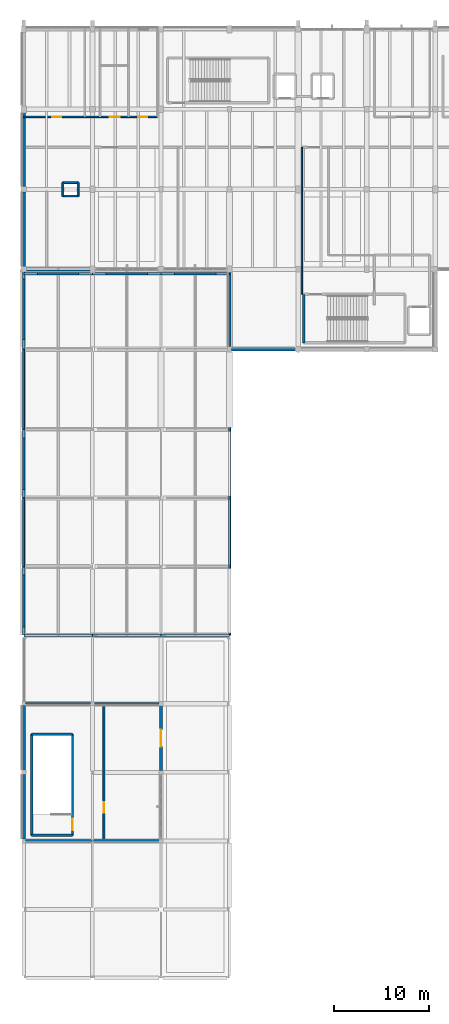
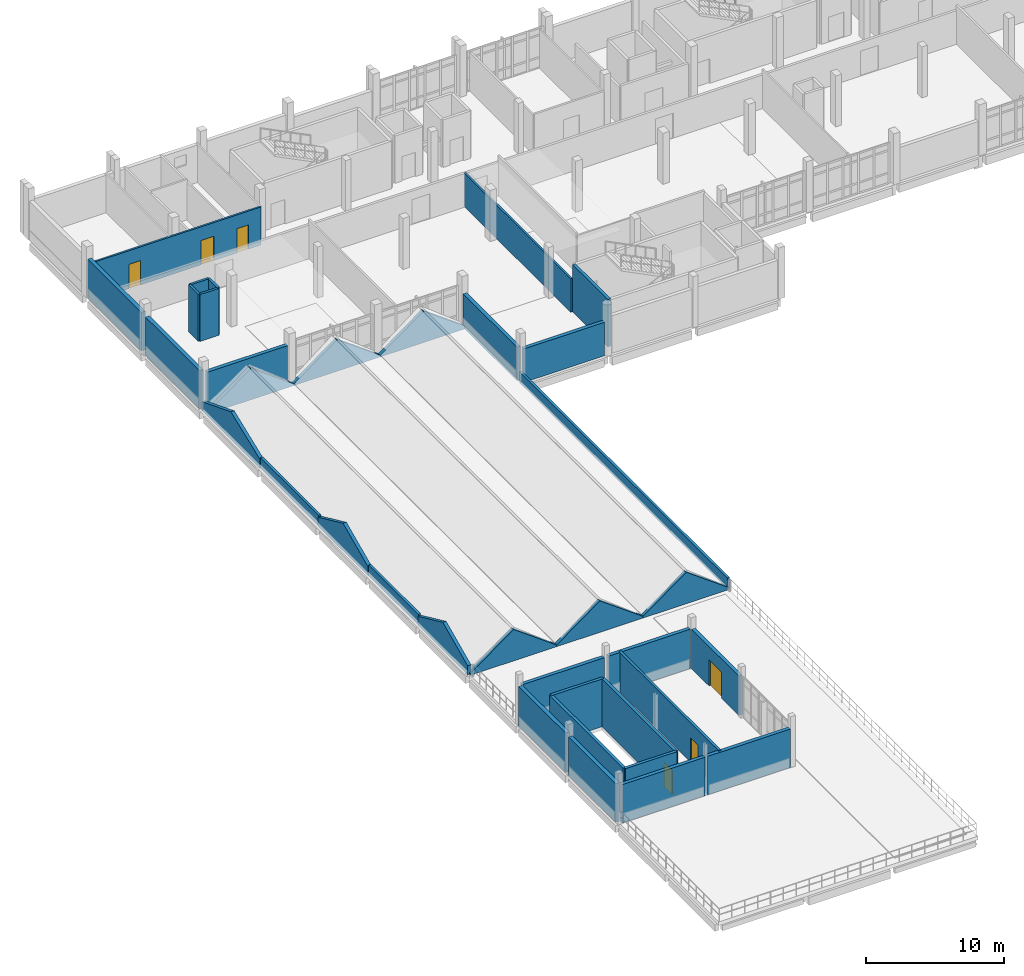
# One storey, part 32 of 41: 36 walls, 6 doors, 6 openings.
"""IFC4 building model written with IfcOpenShell, lengths in metres."""

from ifc_helpers import new_model, si_unit, direction, frame, frame_2d, origin, place, context, subcontext, project, spatial, polyline, rectangle, outline, extrude, material, layer, layer_set, type_object, element, fill, save


model = new_model("IFC4")

# Units and contexts
model_context = context("Model", 3, precision=1e-05, world=origin(), true_north=direction((0.0, 1.0)))
body_context = subcontext(model_context, "Body", "Model", "MODEL_VIEW")
ifc_project = project(units=[si_unit("LENGTHUNIT", "METRE"), si_unit("AREAUNIT", "SQUARE_METRE"), si_unit("VOLUMEUNIT", "CUBIC_METRE"), si_unit("PLANEANGLEUNIT", "RADIAN"), si_unit("MASSUNIT", "GRAM", prefix="KILO")], contexts=[model_context])

# Site, building, storey
site_placement = place(None, origin())
site = spatial("IfcSite", under=ifc_project, at=site_placement, CompositionType="ELEMENT")
building_placement = place(site_placement, origin())
building = spatial("IfcBuilding", under=site, at=building_placement, Name="Kalluvel Institute of Natural Sciences", CompositionType="ELEMENT")
storey_placement = place(building_placement, frame((0.0, 0.0, 32.39990234375)))
storey = spatial("IfcBuildingStorey", under=building, at=storey_placement, Name="L07", CompositionType="ELEMENT", Elevation=32.39990234375)

# Walls
ifc_material_1 = material(Name="Concrete M40", Category="concrete")
ifc_layer_1 = layer(ifc_material_1, 0.25)
ifc_layer_set_1 = layer_set([ifc_layer_1], Name="Concrete M40")
wall_type_1 = type_object("IfcWallType", Name="WL-CORE-250", PredefinedType="SHEAR", material=ifc_layer_set_1)
wall_1_placement = place(storey_placement, frame((43.385009765625, 100.18505859375, 0.0), z_axis=(0.0, 0.0, 1.0), x_axis=(0.0, -1.0, 0.0)))
element("IfcWall", 1, at=wall_1_placement, inside=storey, type_object=wall_type_1, Name="ST3 L07 core wall W", PredefinedType="SHEAR", context=body_context, shape_type="SweptSolid", body=[
    extrude(rectangle(XDim=5.10009765625, YDim=0.25, at=frame_2d((2.550048828125, 0.0))), origin(), (0.0, 0.0, 1.0), 4.175048828125),
])
wall_2_placement = place(storey_placement, frame((14.81494140625, 43.385009765625, 0.0), z_axis=(0.0, 0.0, 1.0), x_axis=(1.0, 0.0, 0.0)))
element("IfcWall", 2, at=wall_2_placement, inside=storey, type_object=wall_type_1, Name="ST4 L07 core wall S", PredefinedType="SHEAR", context=body_context, shape_type="SweptSolid", body=[
    extrude(rectangle(XDim=4.300048828125, YDim=0.25, at=frame_2d((2.14990234375, 0.0))), origin(), (0.0, 0.0, 1.0), 4.215087890625),
])

# Wall, opening, door
wall_3_placement = place(storey_placement, frame((19.114990234375, 43.385009765625, 0.0), z_axis=(0.0, 0.0, 1.0), x_axis=(0.0, 1.0, 0.0)))
wall_3 = element("IfcWall", 3, at=wall_3_placement, inside=storey, type_object=wall_type_1, Name="ST4 L07 core wall E", PredefinedType="SHEAR", context=body_context, shape_type="SweptSolid", body=[
    extrude(rectangle(XDim=10.6298828125, YDim=0.25, at=frame_2d((5.31494140625, 0.0))), origin(), (0.0, 0.0, 1.0), 4.215087890625),
])
opening_1_placement = place(wall_3_placement, frame((0.550048828125, 0.0, 0.0)))
opening_1 = element("IfcOpeningElement", 4, at=opening_1_placement, cuts=wall_3, Name="Opening DS-042", PredefinedType="OPENING", context=body_context, shape_type="SweptSolid", body=[
    extrude(rectangle(XDim=1.199951171875, YDim=2.14990234375, at=frame_2d((0.60009765625, 1.074951171875))), frame((0.0, 0.135009765625, 0.0), z_axis=(0.0, -1.0, 0.0), x_axis=(1.0, 0.0, 0.0)), (0.0, 0.0, 1.0), 0.27001953125),
])
ifc_material_2 = material(Name="Galvanized Fire-Rated Steel", Category="steel")
door_type_1 = type_object("IfcDoorType", Name="DR-ST-1200", OperationType="NOTDEFINED", PredefinedType="DOOR", material=ifc_material_2)
door_1_placement = place(opening_1_placement, origin())
door_1 = element("IfcDoor", 5, at=door_1_placement, inside=storey, type_object=door_type_1, Name="ST4 L07 protected stair door DS-042", OperationType="SINGLE_SWING_LEFT", OverallHeight=2.14990234375, OverallWidth=1.199951171875, PredefinedType="DOOR", context=body_context, shape_type="SweptSolid", body=[
    extrude(rectangle(XDim=1.199951171875, YDim=2.14990234375, at=frame_2d((0.60009765625, 1.074951171875))), frame((0.0, 0.02490234375, 0.0), z_axis=(0.0, -1.0, 0.0), x_axis=(1.0, 0.0, 0.0)), (0.0, 0.0, 1.0), 0.050048828125),
])
fill(opening_1, door_1)

# Walls
wall_4_placement = place(storey_placement, frame((19.114990234375, 54.014892578125, 0.0), z_axis=(0.0, 0.0, 1.0), x_axis=(-1.0, 0.0, 0.0)))
element("IfcWall", 6, at=wall_4_placement, inside=storey, type_object=wall_type_1, Name="ST4 L07 core wall N", PredefinedType="SHEAR", context=body_context, shape_type="SweptSolid", body=[
    extrude(rectangle(XDim=4.300048828125, YDim=0.25, at=frame_2d((2.14990234375, 0.0))), origin(), (0.0, 0.0, 1.0), 4.215087890625),
])
wall_5_placement = place(storey_placement, frame((14.81494140625, 54.014892578125, 0.0), z_axis=(0.0, 0.0, 1.0), x_axis=(0.0, -1.0, 0.0)))
element("IfcWall", 7, at=wall_5_placement, inside=storey, type_object=wall_type_1, Name="ST4 L07 core wall W", PredefinedType="SHEAR", context=body_context, shape_type="SweptSolid", body=[
    extrude(rectangle(XDim=10.6298828125, YDim=0.25, at=frame_2d((5.31494140625, 0.0))), origin(), (0.0, 0.0, 1.0), 4.215087890625),
])
ifc_material_3 = material(Name="Sadarahalli Grey Granite Ashlar Concrete M40", Category="masonry")
ifc_layer_2 = layer(ifc_material_3, 0.300048828125)
ifc_layer_set_2 = layer_set([ifc_layer_2], Name="Sadarahalli Grey Granite Ashlar Concrete M40")
wall_type_2 = type_object("IfcWallType", Name="WL-EXT-300", PredefinedType="SOLIDWALL", material=ifc_layer_set_2)
wall_6_placement = place(storey_placement, frame((14.2548828125, 102.800048828125, 0.0), z_axis=(0.0, 0.0, 1.0), x_axis=(1.0, 0.0, 0.0)))
element("IfcWall", 8, at=wall_6_placement, inside=storey, type_object=wall_type_2, Name="L07 Sadarahalli granite exterior wall WL-EXT-L07-0094", PredefinedType="SOLIDWALL", context=body_context, shape_type="SweptSolid", body=[
    extrude(rectangle(XDim=6.690185546875, YDim=0.300048828125, at=frame_2d((3.34521484375, 0.0))), origin(), (0.0, 0.0, 1.0), 3.35498046875),
])
wall_7_placement = place(storey_placement, frame((35.804931640625, 94.39990234375, 0.0), z_axis=(0.0, 0.0, 1.0), x_axis=(1.0, 0.0, 0.0)))
element("IfcWall", 9, at=wall_7_placement, inside=storey, type_object=wall_type_2, Name="L07 Sadarahalli granite exterior wall WL-EXT-L07-0125", PredefinedType="SOLIDWALL", context=body_context, shape_type="SweptSolid", body=[
    extrude(rectangle(XDim=6.690185546875, YDim=0.300048828125, at=frame_2d((3.34521484375, 0.0))), origin(), (0.0, 0.0, 1.0), 2.955078125),
])
wall_8_placement = place(storey_placement, frame((35.60009765625, 94.679931640625, 0.0), z_axis=(0.0, 0.0, 1.0), x_axis=(0.0, 1.0, 0.0)))
element("IfcWall", 10, at=wall_8_placement, inside=storey, type_object=wall_type_2, Name="L07 Sadarahalli granite exterior wall WL-EXT-L07-0129", PredefinedType="SOLIDWALL", context=body_context, shape_type="SweptSolid", body=[
    extrude(rectangle(XDim=7.7900390625, YDim=0.300048828125, at=frame_2d((3.89501953125, 0.0))), origin(), (0.0, 0.0, 1.0), 2.955078125),
])

# Wall, opening, door
wall_9_placement = place(storey_placement, frame((28.39990234375, 50.179931640625, 0.0), z_axis=(0.0, 0.0, 1.0), x_axis=(0.0, 1.0, 0.0)))
wall_9 = element("IfcWall", 11, at=wall_9_placement, inside=storey, type_object=wall_type_2, Name="L07 Sadarahalli granite exterior wall WL-EXT-L07-0282", PredefinedType="SOLIDWALL", context=body_context, shape_type="SweptSolid", body=[
    extrude(rectangle(XDim=6.815185546875, YDim=0.300048828125, at=frame_2d((3.40771484375, 0.0))), origin(), (0.0, 0.0, 1.0), 3.47509765625),
])
opening_2_placement = place(wall_9_placement, frame((2.507568359375, 0.0, 0.0)))
opening_2 = element("IfcOpeningElement", 12, at=opening_2_placement, cuts=wall_9, Name="Opening DT-008", PredefinedType="OPENING", context=body_context, shape_type="SweptSolid", body=[
    extrude(rectangle(XDim=1.800048828125, YDim=2.300048828125, at=frame_2d((0.89990234375, 1.14990234375))), frame((0.0, 0.159912109375, 0.0), z_axis=(0.0, -1.0, 0.0), x_axis=(1.0, 0.0, 0.0)), (0.0, 0.0, 1.0), 0.320068359375),
])
ifc_material_4 = material(Name="Aluminium AW-6063 T6", Category="aluminium")
door_type_2 = type_object("IfcDoorType", Name="DR-TER-1800", OperationType="NOTDEFINED", PredefinedType="DOOR", material=ifc_material_4)
door_2_placement = place(opening_2_placement, origin())
door_2 = element("IfcDoor", 13, at=door_2_placement, inside=storey, type_object=door_type_2, Name="L07 South Planted Roof Garden Terrace Door", OperationType="DOUBLE_DOOR_SINGLE_SWING", OverallHeight=2.300048828125, OverallWidth=1.800048828125, PredefinedType="DOOR", context=body_context, shape_type="SweptSolid", body=[
    extrude(rectangle(XDim=1.800048828125, YDim=2.300048828125, at=frame_2d((0.89990234375, 1.14990234375))), frame((0.0, 0.02490234375, 0.0), z_axis=(0.0, -1.0, 0.0), x_axis=(1.0, 0.0, 0.0)), (0.0, 0.0, 1.0), 0.050048828125),
])
fill(opening_2, door_2)

# Walls
wall_10_placement = place(storey_placement, frame((14.179931640625, 42.800048828125, 0.0), z_axis=(0.0, 0.0, 1.0), x_axis=(1.0, 0.0, 0.0)))
element("IfcWall", 14, at=wall_10_placement, inside=storey, type_object=wall_type_2, Name="L07 Sadarahalli granite exterior wall WL-EXT-L07-0283", PredefinedType="SOLIDWALL", context=body_context, shape_type="SweptSolid", body=[
    extrude(rectangle(XDim=6.9150390625, YDim=0.300048828125, at=frame_2d((3.45751953125, 0.0))), origin(), (0.0, 0.0, 1.0), 3.39501953125),
])
wall_11_placement = place(storey_placement, frame((14.179931640625, 57.199951171875, 0.0), z_axis=(0.0, 0.0, 1.0), x_axis=(1.0, 0.0, 0.0)))
element("IfcWall", 15, at=wall_11_placement, inside=storey, type_object=wall_type_2, Name="L07 Sadarahalli granite exterior wall WL-EXT-L07-0284", PredefinedType="SOLIDWALL", context=body_context, shape_type="SweptSolid", body=[
    extrude(rectangle(XDim=6.840087890625, YDim=0.300048828125, at=frame_2d((3.419921875, 0.0))), origin(), (0.0, 0.0, 1.0), 3.47509765625),
])
wall_12_placement = place(storey_placement, frame((21.304931640625, 42.800048828125, 0.0), z_axis=(0.0, 0.0, 1.0), x_axis=(1.0, 0.0, 0.0)))
element("IfcWall", 16, at=wall_12_placement, inside=storey, type_object=wall_type_2, Name="L07 Sadarahalli granite exterior wall WL-EXT-L07-0285", PredefinedType="SOLIDWALL", context=body_context, shape_type="SweptSolid", body=[
    extrude(rectangle(XDim=6.9150390625, YDim=0.300048828125, at=frame_2d((3.45751953125, 0.0))), origin(), (0.0, 0.0, 1.0), 3.39501953125),
])
wall_13_placement = place(storey_placement, frame((21.3798828125, 57.199951171875, 0.0), z_axis=(0.0, 0.0, 1.0), x_axis=(1.0, 0.0, 0.0)))
element("IfcWall", 17, at=wall_13_placement, inside=storey, type_object=wall_type_2, Name="L07 Sadarahalli granite exterior wall WL-EXT-L07-0286", PredefinedType="SOLIDWALL", context=body_context, shape_type="SweptSolid", body=[
    extrude(rectangle(XDim=6.815185546875, YDim=0.300048828125, at=frame_2d((3.40771484375, 0.0))), origin(), (0.0, 0.0, 1.0), 3.47509765625),
])
ifc_layer_3 = layer(ifc_material_3, 0.320068359375)
ifc_layer_set_3 = layer_set([ifc_layer_3], Name="Sadarahalli Grey Granite Ashlar Concrete M40")
wall_type_3 = type_object("IfcWallType", Name="WL-EXT-320", PredefinedType="SOLIDWALL", material=ifc_layer_set_3)
wall_14_placement = place(storey_placement, frame((14.0, 103.054931640625, 0.0), z_axis=(0.0, 0.0, 1.0), x_axis=(0.0, 1.0, 0.0)))
element("IfcWall", 18, at=wall_14_placement, inside=storey, type_object=wall_type_3, Name="L07 Sadarahalli granite exterior wall WL-EXT-L07-0096", PredefinedType="SOLIDWALL", context=body_context, shape_type="SweptSolid", body=[
    extrude(rectangle(XDim=7.864990234375, YDim=0.320068359375, at=frame_2d((3.9326171875, 0.0))), origin(), (0.0, 0.0, 1.0), 3.35498046875),
])
wall_15_placement = place(storey_placement, frame((14.0, 111.47998046875, 0.0), z_axis=(0.0, 0.0, 1.0), x_axis=(0.0, 1.0, 0.0)))
element("IfcWall", 19, at=wall_15_placement, inside=storey, type_object=wall_type_3, Name="L07 Sadarahalli granite exterior wall WL-EXT-L07-0097", PredefinedType="SOLIDWALL", context=body_context, shape_type="SweptSolid", body=[
    extrude(rectangle(XDim=7.76513671875, YDim=0.320068359375, at=frame_2d((3.882568359375, 0.0))), origin(), (0.0, 0.0, 1.0), 3.405029296875),
])
wall_16_placement = place(storey_placement, frame((14.0, 42.97998046875, 0.0), z_axis=(0.0, 0.0, 1.0), x_axis=(0.0, 1.0, 0.0)))
element("IfcWall", 20, at=wall_16_placement, inside=storey, type_object=wall_type_3, Name="L07 Sadarahalli granite exterior wall WL-EXT-L07-0280", PredefinedType="SOLIDWALL", context=body_context, shape_type="SweptSolid", body=[
    extrude(rectangle(XDim=6.81494140625, YDim=0.320068359375, at=frame_2d((3.407470703125, 0.0))), origin(), (0.0, 0.0, 1.0), 3.39501953125),
])
wall_17_placement = place(storey_placement, frame((14.0, 50.205078125, 0.0), z_axis=(0.0, 0.0, 1.0), x_axis=(0.0, 1.0, 0.0)))
element("IfcWall", 21, at=wall_17_placement, inside=storey, type_object=wall_type_3, Name="L07 Sadarahalli granite exterior wall WL-EXT-L07-0281", PredefinedType="SOLIDWALL", context=body_context, shape_type="SweptSolid", body=[
    extrude(rectangle(XDim=6.81494140625, YDim=0.320068359375, at=frame_2d((3.407470703125, 0.0))), origin(), (0.0, 0.0, 1.0), 3.47509765625),
])

# Wall, opening, door
ifc_material_5 = material(Name="Autoclaved Aerated Concrete Masonry Block", Category="masonry")
ifc_layer_4 = layer(ifc_material_5, 0.199951171875)
ifc_layer_set_4 = layer_set([ifc_layer_4], Name="Autoclaved Aerated Concrete Masonry Block")
wall_type_4 = type_object("IfcWallType", Name="WL-FIRE-200", PredefinedType="SOLIDWALL", material=ifc_layer_set_4)
wall_18_placement = place(storey_placement, frame((22.39990234375, 42.800048828125, 0.0), z_axis=(0.0, 0.0, 1.0), x_axis=(0.0, 1.0, 0.0)))
wall_18 = element("IfcWall", 22, at=wall_18_placement, inside=storey, type_object=wall_type_4, Name="L07 interior fire wall WL-INT-L07-0334", PredefinedType="SOLIDWALL", context=body_context, shape_type="SweptSolid", body=[
    extrude(rectangle(XDim=14.39990234375, YDim=0.199951171875, at=frame_2d((7.199951171875, 0.0))), origin(), (0.0, 0.0, 1.0), 3.47998046875),
])
opening_3_placement = place(wall_18_placement, frame((2.949951171875, 0.0, 0.0)))
opening_3 = element("IfcOpeningElement", 23, at=opening_3_placement, cuts=wall_18, Name="Opening D-249", PredefinedType="OPENING", context=body_context, shape_type="SweptSolid", body=[
    extrude(rectangle(XDim=1.10009765625, YDim=2.14990234375, at=frame_2d((0.550048828125, 1.074951171875))), frame((0.0, 0.10986328125, 0.0), z_axis=(0.0, -1.0, 0.0), x_axis=(1.0, 0.0, 0.0)), (0.0, 0.0, 1.0), 0.219970703125),
])
door_type_3 = type_object("IfcDoorType", Name="DR-FD60-1100", OperationType="NOTDEFINED", PredefinedType="DOOR", material=ifc_material_2)
door_3_placement = place(opening_3_placement, origin())
door_3 = element("IfcDoor", 24, at=door_3_placement, inside=storey, type_object=door_type_3, Name="L07 Botanical Roof-Garden Seminar Room door D-249", OperationType="SINGLE_SWING_RIGHT", OverallHeight=2.14990234375, OverallWidth=1.10009765625, PredefinedType="DOOR", context=body_context, shape_type="SweptSolid", body=[
    extrude(rectangle(XDim=1.10009765625, YDim=2.14990234375, at=frame_2d((0.550048828125, 1.074951171875))), frame((0.0, 0.02490234375, 0.0), z_axis=(0.0, -1.0, 0.0), x_axis=(1.0, 0.0, 0.0)), (0.0, 0.0, 1.0), 0.050048828125),
])
fill(opening_3, door_3)

# Walls
ifc_layer_5 = layer(ifc_material_3, 0.280029296875)
ifc_layer_set_5 = layer_set([ifc_layer_5], Name="Sadarahalli Grey Granite Ashlar Concrete M40")
wall_type_5 = type_object("IfcWallType", Name="WL-GABLE-280", PredefinedType="SOLIDWALL", material=ifc_layer_set_5)
for number, where, z_axis, x_axis, name in (
    (25, (14.0, 64.39990234375, 0.0), (0.0, 0.0, 1.0), (1.0, 0.0, 0.0), "L07 Dry Wing South Gothic gable wall"),
    (26, (21.199951171875, 64.39990234375, 0.0), (0.0, 0.0, 1.0), (1.0, 0.0, 0.0), "L07 Dry Wing South Gothic gable wall"),
):
    element("IfcWall", number, at=place(storey_placement, frame(where, z_axis=z_axis, x_axis=x_axis)), inside=storey, type_object=wall_type_5, Name=name, PredefinedType="SOLIDWALL", context=body_context, shape_type="SweptSolid", body=[
        extrude(outline(polyline([(0.0, 0.0), (7.199951171875, 0.0), (7.199951171875, 0.150146484375), (3.60009765625, 2.780029296875), (0.0, 0.150146484375), (0.0, 0.0)])), frame((0.0, 0.14013671875, 0.0), z_axis=(0.0, -1.0, 0.0), x_axis=(1.0, 0.0, 0.0)), (0.0, 0.0, 1.0), 0.280029296875),
    ])
wall_19_placement = place(storey_placement, frame((28.39990234375, 64.39990234375, 0.0), z_axis=(0.0, 0.0, 1.0), x_axis=(1.0, 0.0, 0.0)))
element("IfcWall", 27, at=wall_19_placement, inside=storey, type_object=wall_type_5, Name="L07 Dry Wing South Gothic gable wall", PredefinedType="SOLIDWALL", context=body_context, shape_type="SweptSolid", body=[
    extrude(outline(polyline([(0.0, 0.0), (7.2001953125, 0.0), (7.199951171875, 0.150146484375), (3.60009765625, 2.780029296875), (0.0, 0.150146484375), (0.0, 0.0)])), frame((0.0, 0.14013671875, 0.0), z_axis=(0.0, -1.0, 0.0), x_axis=(1.0, 0.0, 0.0)), (0.0, 0.0, 1.0), 0.280029296875),
])
for number, where, z_axis, x_axis, name in (
    (28, (14.0, 102.35009765625, 0.0), (0.0, 0.0, 1.0), (1.0, 0.0, 0.0), "L07 Dry Wing North Gothic gable wall"),
    (29, (21.199951171875, 102.35009765625, 0.0), (0.0, 0.0, 1.0), (1.0, 0.0, 0.0), "L07 Dry Wing North Gothic gable wall"),
):
    element("IfcWall", number, at=place(storey_placement, frame(where, z_axis=z_axis, x_axis=x_axis)), inside=storey, type_object=wall_type_5, Name=name, PredefinedType="SOLIDWALL", context=body_context, shape_type="SweptSolid", body=[
        extrude(outline(polyline([(0.0, 0.0), (7.199951171875, 0.0), (7.199951171875, 0.150146484375), (3.60009765625, 2.780029296875), (0.0, 0.150146484375), (0.0, 0.0)])), frame((0.0, 0.14013671875, 0.0), z_axis=(0.0, -1.0, 0.0), x_axis=(1.0, 0.0, 0.0)), (0.0, 0.0, 1.0), 0.280029296875),
    ])
wall_20_placement = place(storey_placement, frame((28.39990234375, 102.35009765625, 0.0), z_axis=(0.0, 0.0, 1.0), x_axis=(1.0, 0.0, 0.0)))
element("IfcWall", 30, at=wall_20_placement, inside=storey, type_object=wall_type_5, Name="L07 Dry Wing North Gothic gable wall", PredefinedType="SOLIDWALL", context=body_context, shape_type="SweptSolid", body=[
    extrude(outline(polyline([(0.0, 0.0), (7.2001953125, 0.0), (7.199951171875, 0.150146484375), (3.60009765625, 2.780029296875), (0.0, 0.150146484375), (0.0, 0.0)])), frame((0.0, 0.14013671875, 0.0), z_axis=(0.0, -1.0, 0.0), x_axis=(1.0, 0.0, 0.0)), (0.0, 0.0, 1.0), 0.280029296875),
])
wall_21_placement = place(storey_placement, frame((14.0, 64.39990234375, 0.0), z_axis=(0.0, 0.0, 1.0), x_axis=(0.0, 1.0, 0.0)))
element("IfcWall", 31, at=wall_21_placement, inside=storey, type_object=wall_type_5, Name="L07 Dry Wing West Gothic cross-gable parapet", PredefinedType="SOLIDWALL", context=body_context, shape_type="SweptSolid", body=[
    extrude(outline(polyline([(0.0, 0.0), (7.2001953125, 0.0), (7.199951171875, 0.800048828125), (3.60009765625, 2.4501953125), (0.0, 0.800048828125), (0.0, 0.0)])), frame((0.0, 0.14013671875, 0.0), z_axis=(0.0, -1.0, 0.0), x_axis=(1.0, 0.0, 0.0)), (0.0, 0.0, 1.0), 0.280029296875),
])
wall_22_placement = place(storey_placement, frame((14.0, 78.800048828125, 0.0), z_axis=(0.0, 0.0, 1.0), x_axis=(0.0, 1.0, 0.0)))
element("IfcWall", 32, at=wall_22_placement, inside=storey, type_object=wall_type_5, Name="L07 Dry Wing West Gothic cross-gable parapet", PredefinedType="SOLIDWALL", context=body_context, shape_type="SweptSolid", body=[
    extrude(outline(polyline([(0.0, 0.0), (7.199951171875, 0.0), (7.199951171875, 0.800048828125), (3.60009765625, 2.4501953125), (0.0, 0.800048828125), (0.0, 0.0)])), frame((0.0, 0.14013671875, 0.0), z_axis=(0.0, -1.0, 0.0), x_axis=(1.0, 0.0, 0.0)), (0.0, 0.0, 1.0), 0.280029296875),
])
wall_23_placement = place(storey_placement, frame((14.0, 94.39990234375, 0.0), z_axis=(0.0, 0.0, 1.0), x_axis=(0.0, 1.0, 0.0)))
element("IfcWall", 33, at=wall_23_placement, inside=storey, type_object=wall_type_5, Name="L07 Dry Wing West Gothic cross-gable parapet", PredefinedType="SOLIDWALL", context=body_context, shape_type="SweptSolid", body=[
    extrude(outline(polyline([(0.0, 0.0), (8.400146484375, 0.0), (8.39990234375, 0.800048828125), (4.199951171875, 2.4501953125), (0.0, 0.800048828125), (0.0, 0.0)])), frame((0.0, 0.14013671875, 0.0), z_axis=(0.0, -1.0, 0.0), x_axis=(1.0, 0.0, 0.0)), (0.0, 0.0, 1.0), 0.280029296875),
])
ifc_layer_6 = layer(ifc_material_3, 0.199951171875)
ifc_layer_set_6 = layer_set([ifc_layer_6], Name="Sadarahalli Grey Granite Ashlar Concrete M40")
wall_type_6 = type_object("IfcWallType", Name="WL-PAR-200", PredefinedType="PARAPET", material=ifc_layer_set_6)
wall_24_placement = place(storey_placement, frame((35.60009765625, 64.39990234375, 0.0), z_axis=(0.0, 0.0, 1.0), x_axis=(0.0, 1.0, 0.0)))
element("IfcWall", 34, at=wall_24_placement, inside=storey, type_object=wall_type_6, Name="L07 maintenance roof stone parapet 15", PredefinedType="PARAPET", context=body_context, shape_type="SweptSolid", body=[
    extrude(rectangle(XDim=30.0, YDim=0.199951171875, at=frame_2d((15.0, 0.0))), origin(), (0.0, 0.0, 1.0), 0.9501953125),
])
wall_25_placement = place(storey_placement, frame((14.0, 71.60009765625, 0.0), z_axis=(0.0, 0.0, 1.0), x_axis=(0.0, 1.0, 0.0)))
element("IfcWall", 35, at=wall_25_placement, inside=storey, type_object=wall_type_6, Name="L07 maintenance roof stone parapet 16", PredefinedType="PARAPET", context=body_context, shape_type="SweptSolid", body=[
    extrude(rectangle(XDim=7.199951171875, YDim=0.199951171875, at=frame_2d((3.60009765625, 0.0))), origin(), (0.0, 0.0, 1.0), 0.9501953125),
])
wall_26_placement = place(storey_placement, frame((14.0, 86.0, 0.0), z_axis=(0.0, 0.0, 1.0), x_axis=(0.0, 1.0, 0.0)))
element("IfcWall", 36, at=wall_26_placement, inside=storey, type_object=wall_type_6, Name="L07 maintenance roof stone parapet 17", PredefinedType="PARAPET", context=body_context, shape_type="SweptSolid", body=[
    extrude(rectangle(XDim=8.39990234375, YDim=0.199951171875, at=frame_2d((4.199951171875, 0.0))), origin(), (0.0, 0.0, 1.0), 0.9501953125),
])
ifc_layer_7 = layer(ifc_material_5, 0.159912109375)
ifc_layer_set_7 = layer_set([ifc_layer_7], Name="Autoclaved Aerated Concrete Masonry Block")
wall_type_7 = type_object("IfcWallType", Name="WL-PART-160", PredefinedType="PARTITIONING", material=ifc_layer_set_7)
wall_27_placement = place(storey_placement, frame((43.199951171875, 100.199951171875, 0.0), z_axis=(0.0, 0.0, 1.0), x_axis=(0.0, 1.0, 0.0)))
element("IfcWall", 37, at=wall_27_placement, inside=storey, type_object=wall_type_7, Name="L07 interior partition wall WL-INT-L07-0315", PredefinedType="PARTITIONING", context=body_context, shape_type="SweptSolid", body=[
    extrude(rectangle(XDim=15.400146484375, YDim=0.159912109375, at=frame_2d((7.7001953125, 0.0))), origin(), (0.0, 0.0, 1.0), 2.960205078125),
])

# Wall, openings, doors
wall_28_placement = place(storey_placement, frame((14.0, 118.800048828125, 0.0), z_axis=(0.0, 0.0, 1.0), x_axis=(1.0, 0.0, 0.0)))
wall_28 = element("IfcWall", 38, at=wall_28_placement, inside=storey, type_object=wall_type_7, Name="L07 interior partition wall WL-INT-L07-0318", PredefinedType="PARTITIONING", context=body_context, shape_type="SweptSolid", body=[
    extrude(rectangle(XDim=14.0, YDim=0.159912109375, at=frame_2d((7.0, 0.0))), origin(), (0.0, 0.0, 1.0), 3.360107421875),
])
opening_4_placement = place(wall_28_placement, frame((3.0, 0.0, 0.0)))
opening_4 = element("IfcOpeningElement", 39, at=opening_4_placement, cuts=wall_28, Name="Opening D-237", PredefinedType="OPENING", context=body_context, shape_type="SweptSolid", body=[
    extrude(rectangle(XDim=0.949951171875, YDim=2.14990234375, at=frame_2d((0.47509765625, 1.074951171875))), frame((0.0, 0.08984375, 0.0), z_axis=(0.0, -1.0, 0.0), x_axis=(1.0, 0.0, 0.0)), (0.0, 0.0, 1.0), 0.179931640625),
])
opening_5_placement = place(wall_28_placement, frame((9.0, 0.0, 0.0)))
opening_5 = element("IfcOpeningElement", 40, at=opening_5_placement, cuts=wall_28, Name="Opening D-238", PredefinedType="OPENING", context=body_context, shape_type="SweptSolid", body=[
    extrude(rectangle(XDim=1.050048828125, YDim=2.14990234375, at=frame_2d((0.52490234375, 1.074951171875))), frame((0.0, 0.08984375, 0.0), z_axis=(0.0, -1.0, 0.0), x_axis=(1.0, 0.0, 0.0)), (0.0, 0.0, 1.0), 0.179931640625),
])
opening_6_placement = place(wall_28_placement, frame((12.0, 0.0, 0.0)))
opening_6 = element("IfcOpeningElement", 41, at=opening_6_placement, cuts=wall_28, Name="Opening D-239", PredefinedType="OPENING", context=body_context, shape_type="SweptSolid", body=[
    extrude(rectangle(XDim=0.949951171875, YDim=2.14990234375, at=frame_2d((0.47509765625, 1.074951171875))), frame((0.0, 0.08984375, 0.0), z_axis=(0.0, -1.0, 0.0), x_axis=(1.0, 0.0, 0.0)), (0.0, 0.0, 1.0), 0.179931640625),
])
ifc_material_6 = material(Name="Engineered Hardwood Acoustic Leaf", Category="wood")
door_type_4 = type_object("IfcDoorType", Name="DR-ACC-1050", OperationType="NOTDEFINED", PredefinedType="DOOR", material=ifc_material_6)
door_4_placement = place(opening_5_placement, origin())
door_4 = element("IfcDoor", 42, at=door_4_placement, inside=storey, type_object=door_type_4, Name="L07 Accessible WC door D-238", OperationType="SINGLE_SWING_RIGHT", OverallHeight=2.14990234375, OverallWidth=1.050048828125, PredefinedType="DOOR", context=body_context, shape_type="SweptSolid", body=[
    extrude(rectangle(XDim=1.050048828125, YDim=2.14990234375, at=frame_2d((0.52490234375, 1.074951171875))), frame((0.0, 0.02490234375, 0.0), z_axis=(0.0, -1.0, 0.0), x_axis=(1.0, 0.0, 0.0)), (0.0, 0.0, 1.0), 0.050048828125),
])
fill(opening_5, door_4)
door_type_5 = type_object("IfcDoorType", Name="DR-INT-950", OperationType="NOTDEFINED", PredefinedType="DOOR", material=ifc_material_6)
door_5_placement = place(opening_4_placement, origin())
door_5 = element("IfcDoor", 43, at=door_5_placement, inside=storey, type_object=door_type_5, Name="L07 Male WC door D-237", OperationType="SINGLE_SWING_LEFT", OverallHeight=2.14990234375, OverallWidth=0.949951171875, PredefinedType="DOOR", context=body_context, shape_type="SweptSolid", body=[
    extrude(rectangle(XDim=0.949951171875, YDim=2.14990234375, at=frame_2d((0.47509765625, 1.074951171875))), frame((0.0, 0.02490234375, 0.0), z_axis=(0.0, -1.0, 0.0), x_axis=(1.0, 0.0, 0.0)), (0.0, 0.0, 1.0), 0.050048828125),
])
fill(opening_4, door_5)
door_6_placement = place(opening_6_placement, origin())
door_6 = element("IfcDoor", 44, at=door_6_placement, inside=storey, type_object=door_type_5, Name="L07 Female WC door D-239", OperationType="SINGLE_SWING_LEFT", OverallHeight=2.14990234375, OverallWidth=0.949951171875, PredefinedType="DOOR", context=body_context, shape_type="SweptSolid", body=[
    extrude(rectangle(XDim=0.949951171875, YDim=2.14990234375, at=frame_2d((0.47509765625, 1.074951171875))), frame((0.0, 0.02490234375, 0.0), z_axis=(0.0, -1.0, 0.0), x_axis=(1.0, 0.0, 0.0)), (0.0, 0.0, 1.0), 0.050048828125),
])
fill(opening_6, door_6)

# Walls
ifc_layer_8 = layer(ifc_material_1, 0.199951171875)
ifc_layer_set_8 = layer_set([ifc_layer_8], Name="Concrete M40")
wall_type_8 = type_object("IfcWallType", Name="WL-RISER-200", PredefinedType="SHEAR", material=ifc_layer_set_8)
wall_29_placement = place(storey_placement, frame((18.10009765625, 110.5, 0.0), z_axis=(0.0, 0.0, 1.0), x_axis=(1.0, 0.0, 0.0)))
element("IfcWall", 45, at=wall_29_placement, inside=storey, type_object=wall_type_8, Name="RS-WET-W L07 service riser enclosure S", PredefinedType="SHEAR", context=body_context, shape_type="SweptSolid", body=[
    extrude(rectangle(XDim=1.599853515625, YDim=0.199951171875, at=frame_2d((0.7998046875, 0.0))), origin(), (0.0, 0.0, 1.0), 4.14013671875),
])
wall_30_placement = place(storey_placement, frame((19.699951171875, 110.5, 0.0), z_axis=(0.0, 0.0, 1.0), x_axis=(0.0, 1.0, 0.0)))
element("IfcWall", 46, at=wall_30_placement, inside=storey, type_object=wall_type_8, Name="RS-WET-W L07 service riser enclosure E", PredefinedType="SHEAR", context=body_context, shape_type="SweptSolid", body=[
    extrude(rectangle(XDim=1.39990234375, YDim=0.199951171875, at=frame_2d((0.699951171875, 0.0))), origin(), (0.0, 0.0, 1.0), 4.14013671875),
])
wall_31_placement = place(storey_placement, frame((19.699951171875, 111.89990234375, 0.0), z_axis=(0.0, 0.0, 1.0), x_axis=(-1.0, 0.0, 0.0)))
element("IfcWall", 47, at=wall_31_placement, inside=storey, type_object=wall_type_8, Name="RS-WET-W L07 service riser enclosure N", PredefinedType="SHEAR", context=body_context, shape_type="SweptSolid", body=[
    extrude(rectangle(XDim=1.599853515625, YDim=0.199951171875, at=frame_2d((0.7998046875, 0.0))), origin(), (0.0, 0.0, 1.0), 4.14013671875),
])
wall_32_placement = place(storey_placement, frame((18.10009765625, 111.89990234375, 0.0), z_axis=(0.0, 0.0, 1.0), x_axis=(0.0, -1.0, 0.0)))
element("IfcWall", 48, at=wall_32_placement, inside=storey, type_object=wall_type_8, Name="RS-WET-W L07 service riser enclosure W", PredefinedType="SHEAR", context=body_context, shape_type="SweptSolid", body=[
    extrude(rectangle(XDim=1.39990234375, YDim=0.199951171875, at=frame_2d((0.699951171875, 0.0))), origin(), (0.0, 0.0, 1.0), 4.14013671875),
])

save(model, "model.ifc")
